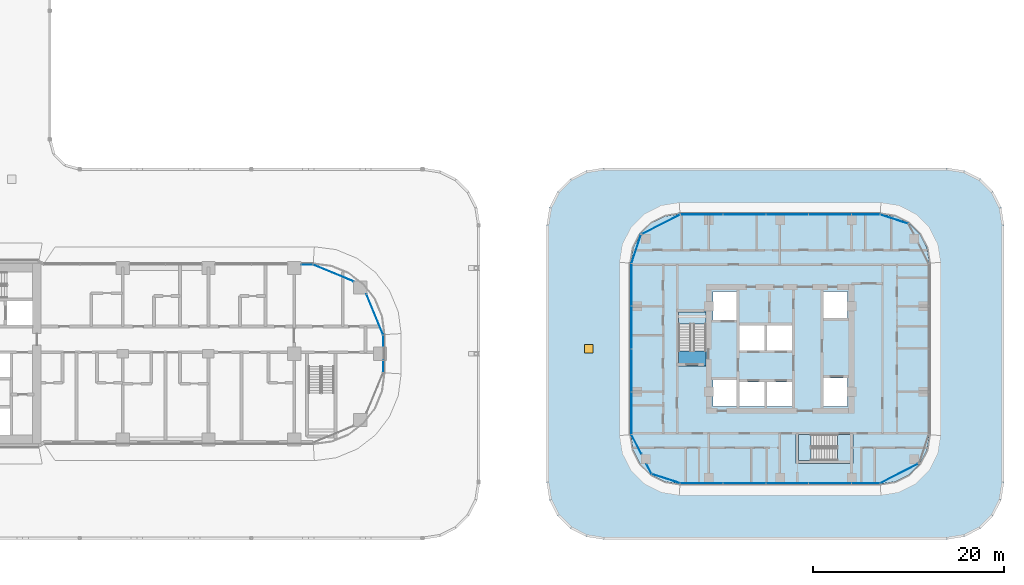
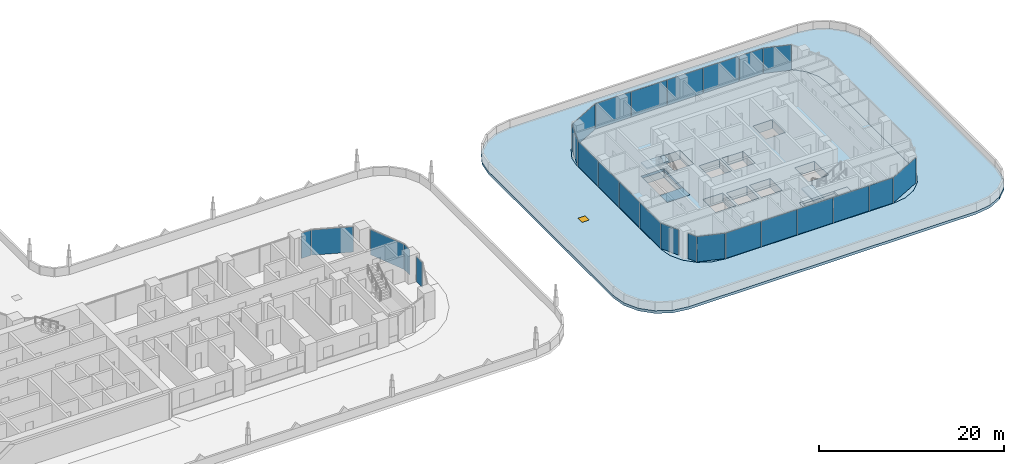
# One storey, part 18 of 51: 26 plates, 6 slabs, 1 window, 1 opening, 16 elements without a shape of their own.
"""IFC4 building model written with IfcOpenShell, lengths in metres."""

from ifc_helpers import new_model, si_unit, direction, frame, origin, origin_2d, place, context, subcontext, project, spatial, polyline, rectangle, outline, extrude, material, layer, layer_set, type_object, element, fill, aggregate, save


model = new_model("IFC4")

# Units and contexts
model_context = context("Model", 3, precision=1e-05, world=origin(), true_north=direction((0.0, 1.0)))
body_context = subcontext(model_context, "Body", "Model", "MODEL_VIEW")
ifc_project = project(units=[si_unit("LENGTHUNIT", "METRE"), si_unit("AREAUNIT", "SQUARE_METRE"), si_unit("VOLUMEUNIT", "CUBIC_METRE"), si_unit("PLANEANGLEUNIT", "RADIAN"), si_unit("MASSUNIT", "GRAM", prefix="KILO")], contexts=[model_context])

# Site, building, storey
site_placement = place(None, origin())
site = spatial("IfcSite", under=ifc_project, at=site_placement, CompositionType="ELEMENT")
building_placement = place(site_placement, origin())
building = spatial("IfcBuilding", under=site, at=building_placement, Name="Ogive Portal Towers", CompositionType="ELEMENT")
storey_placement = place(building_placement, frame((0.0, 0.0, 33.5)))
storey = spatial("IfcBuildingStorey", under=building, at=storey_placement, Name="L06", CompositionType="ELEMENT", Elevation=33.5)

# Curtain wall, plate
ifc_material_1 = material(Name="Glass, clear low-iron insulated glazing", Category="glass")
curtain_wall_type_1 = type_object("IfcCurtainWallType", Name="CW FRONT RIBBON 4500", PredefinedType="NOTDEFINED", material=ifc_material_1)
curtain_wall_1_placement = place(storey_placement, origin())
curtain_wall_1 = element("IfcCurtainWall", 1, at=curtain_wall_1_placement, inside=storey, type_object=curtain_wall_type_1, Name="A:L06:f24:cw0~0", PredefinedType="NOTDEFINED")
ifc_layer_1 = layer(ifc_material_1, 0.028076171875)
ifc_layer_set_1 = layer_set([ifc_layer_1], Name="CW PANEL IGU 28")
plate_type = type_object("IfcPlateType", Name="CW PANEL IGU 28", PredefinedType="CURTAIN_PANEL", material=ifc_layer_set_1)
plate_1_placement = place(storey_placement, frame((94.844970703125, 29.157958984375, 0.0), z_axis=(0.0, 0.0, 1.0), x_axis=(0.0, 1.0, 0.0)))
plate_1 = element("IfcPlate", 2, at=plate_1_placement, type_object=plate_type, Name="panel", PredefinedType="CURTAIN_PANEL", context=body_context, shape_type="SweptSolid", body=[
    extrude(rectangle(XDim=1.22412109375, YDim=0.028076171875, at=origin_2d()), origin(), (0.0, 0.0, 1.0), 3.340087890625),
])
aggregate(curtain_wall_1, [plate_1])

curtain_wall_2_placement = place(storey_placement, origin())
curtain_wall_2 = element("IfcCurtainWall", 3, at=curtain_wall_2_placement, inside=storey, type_object=curtain_wall_type_1, Name="A:L06:f24:cw0~1", PredefinedType="NOTDEFINED")
plate_2_placement = place(storey_placement, frame((94.844970703125, 31.842041015625, 0.0), z_axis=(0.0, 0.0, 1.0), x_axis=(0.0, 1.0, 0.0)))
plate_2 = element("IfcPlate", 4, at=plate_2_placement, type_object=plate_type, Name="panel", PredefinedType="CURTAIN_PANEL", context=body_context, shape_type="SweptSolid", body=[
    extrude(rectangle(XDim=1.22412109375, YDim=0.028076171875, at=origin_2d()), origin(), (0.0, 0.0, 1.0), 3.340087890625),
])
aggregate(curtain_wall_2, [plate_2])

curtain_wall_3_placement = place(storey_placement, origin())
curtain_wall_3 = element("IfcCurtainWall", 5, at=curtain_wall_3_placement, inside=storey, type_object=curtain_wall_type_1, Name="A:L06:f27:cw0~0", PredefinedType="NOTDEFINED")
plate_3_placement = place(storey_placement, frame((86.842041015625, 39.844970703125, 0.0), z_axis=(0.0, 0.0, 1.0), x_axis=(-1.0, 0.0, 0.0)))
plate_3 = element("IfcPlate", 6, at=plate_3_placement, type_object=plate_type, Name="panel", PredefinedType="CURTAIN_PANEL", context=body_context, shape_type="SweptSolid", body=[
    extrude(rectangle(XDim=1.22412109375, YDim=0.028076171875, at=origin_2d()), origin(), (0.0, 0.0, 1.0), 3.340087890625),
])
aggregate(curtain_wall_3, [plate_3])

curtain_wall_4_placement = place(storey_placement, origin())
curtain_wall_4 = element("IfcCurtainWall", 7, at=curtain_wall_4_placement, inside=storey, type_object=curtain_wall_type_1, Name="A:L06:f25:cwa~0", PredefinedType="NOTDEFINED")
plate_4_placement = place(storey_placement, frame((93.96142578125, 34.616943359375, 0.0), z_axis=(0.0, 0.0, 1.0), x_axis=(-0.382683432365, 0.923879532511, 0.0)))
plate_4 = element("IfcPlate", 8, at=plate_4_placement, type_object=plate_type, Name="panel", PredefinedType="CURTAIN_PANEL", context=body_context, shape_type="SweptSolid", body=[
    extrude(rectangle(XDim=4.557373046875, YDim=0.028076171875, at=origin_2d()), origin(), (0.0, 0.0, 1.0), 3.340087890625),
])
aggregate(curtain_wall_4, [plate_4])

curtain_wall_5_placement = place(storey_placement, origin())
curtain_wall_5 = element("IfcCurtainWall", 9, at=curtain_wall_5_placement, inside=storey, type_object=curtain_wall_type_1, Name="A:L06:f25:cwa~1", PredefinedType="NOTDEFINED")
plate_5_placement = place(storey_placement, frame((89.616943359375, 38.96142578125, 0.0), z_axis=(0.0, 0.0, 1.0), x_axis=(-0.923879532511, 0.382683432365, 0.0)))
plate_5 = element("IfcPlate", 10, at=plate_5_placement, type_object=plate_type, Name="panel", PredefinedType="CURTAIN_PANEL", context=body_context, shape_type="SweptSolid", body=[
    extrude(rectangle(XDim=4.557373046875, YDim=0.028076171875, at=origin_2d()), origin(), (0.0, 0.0, 1.0), 3.340087890625),
])
aggregate(curtain_wall_5, [plate_5])

# Curtain wall, plates
curtain_wall_type_2 = type_object("IfcCurtainWallType", Name="CW RESIDENCES RIBBON", PredefinedType="NOTDEFINED", material=ifc_material_1)
curtain_wall_6_placement = place(storey_placement, origin())
curtain_wall_6 = element("IfcCurtainWall", 11, at=curtain_wall_6_placement, inside=storey, type_object=curtain_wall_type_2, Name="B:L06:f02:cw0", PredefinedType="NOTDEFINED")
plate_6_placement = place(storey_placement, frame((128.25634765625, 16.89990234375, 0.0), z_axis=(0.0, 0.0, 1.0), x_axis=(1.0, 0.0, 0.0)))
plate_6 = element("IfcPlate", 12, at=plate_6_placement, type_object=plate_type, Name="panel", PredefinedType="CURTAIN_PANEL", context=body_context, shape_type="SweptSolid", body=[
    extrude(rectangle(XDim=4.42724609375, YDim=0.028076171875, at=origin_2d()), origin(), (0.0, 0.0, 1.0), 3.340087890625),
])
plate_7_placement = place(storey_placement, frame((132.75, 16.89990234375, 0.0), z_axis=(0.0, 0.0, 1.0), x_axis=(1.0, 0.0, 0.0)))
plate_7 = element("IfcPlate", 13, at=plate_7_placement, type_object=plate_type, Name="panel", PredefinedType="CURTAIN_PANEL", context=body_context, shape_type="SweptSolid", body=[
    extrude(rectangle(XDim=4.43994140625, YDim=0.028076171875, at=origin_2d()), origin(), (0.0, 0.0, 1.0), 3.340087890625),
])
plate_8_placement = place(storey_placement, frame((137.25, 16.89990234375, 0.0), z_axis=(0.0, 0.0, 1.0), x_axis=(1.0, 0.0, 0.0)))
plate_8 = element("IfcPlate", 14, at=plate_8_placement, type_object=plate_type, Name="panel", PredefinedType="CURTAIN_PANEL", context=body_context, shape_type="SweptSolid", body=[
    extrude(rectangle(XDim=4.43994140625, YDim=0.028076171875, at=origin_2d()), origin(), (0.0, 0.0, 1.0), 3.340087890625),
])
plate_9_placement = place(storey_placement, frame((141.75, 16.89990234375, 0.0), z_axis=(0.0, 0.0, 1.0), x_axis=(1.0, 0.0, 0.0)))
plate_9 = element("IfcPlate", 15, at=plate_9_placement, type_object=plate_type, Name="panel", PredefinedType="CURTAIN_PANEL", context=body_context, shape_type="SweptSolid", body=[
    extrude(rectangle(XDim=4.43994140625, YDim=0.028076171875, at=origin_2d()), origin(), (0.0, 0.0, 1.0), 3.340087890625),
])
plate_10_placement = place(storey_placement, frame((145.490478515625, 16.89990234375, 0.0), z_axis=(0.0, 0.0, 1.0), x_axis=(1.0, 0.0, 0.0)))
plate_10 = element("IfcPlate", 16, at=plate_10_placement, type_object=plate_type, Name="panel", PredefinedType="CURTAIN_PANEL", context=body_context, shape_type="SweptSolid", body=[
    extrude(rectangle(XDim=2.9208984375, YDim=0.028076171875, at=origin_2d()), origin(), (0.0, 0.0, 1.0), 3.340087890625),
])
aggregate(curtain_wall_6, [plate_6, plate_7, plate_8, plate_9, plate_10])

curtain_wall_7_placement = place(storey_placement, origin())
curtain_wall_7 = element("IfcCurtainWall", 17, at=curtain_wall_7_placement, inside=storey, type_object=curtain_wall_type_2, Name="B:L06:f08:cw0", PredefinedType="NOTDEFINED")
plate_11_placement = place(storey_placement, frame((145.49365234375, 45.10009765625, 0.0), z_axis=(0.0, 0.0, 1.0), x_axis=(-1.0, 0.0, 0.0)))
plate_11 = element("IfcPlate", 18, at=plate_11_placement, type_object=plate_type, Name="panel", PredefinedType="CURTAIN_PANEL", context=body_context, shape_type="SweptSolid", body=[
    extrude(rectangle(XDim=2.92724609375, YDim=0.028076171875, at=origin_2d()), origin(), (0.0, 0.0, 1.0), 3.340087890625),
])
plate_12_placement = place(storey_placement, frame((141.75, 45.10009765625, 0.0), z_axis=(0.0, 0.0, 1.0), x_axis=(-1.0, 0.0, 0.0)))
plate_12 = element("IfcPlate", 19, at=plate_12_placement, type_object=plate_type, Name="panel", PredefinedType="CURTAIN_PANEL", context=body_context, shape_type="SweptSolid", body=[
    extrude(rectangle(XDim=4.43994140625, YDim=0.028076171875, at=origin_2d()), origin(), (0.0, 0.0, 1.0), 3.340087890625),
])
plate_13_placement = place(storey_placement, frame((137.25, 45.10009765625, 0.0), z_axis=(0.0, 0.0, 1.0), x_axis=(-1.0, 0.0, 0.0)))
plate_13 = element("IfcPlate", 20, at=plate_13_placement, type_object=plate_type, Name="panel", PredefinedType="CURTAIN_PANEL", context=body_context, shape_type="SweptSolid", body=[
    extrude(rectangle(XDim=4.43994140625, YDim=0.028076171875, at=origin_2d()), origin(), (0.0, 0.0, 1.0), 3.340087890625),
])
plate_14_placement = place(storey_placement, frame((132.75, 45.10009765625, 0.0), z_axis=(0.0, 0.0, 1.0), x_axis=(-1.0, 0.0, 0.0)))
plate_14 = element("IfcPlate", 21, at=plate_14_placement, type_object=plate_type, Name="panel", PredefinedType="CURTAIN_PANEL", context=body_context, shape_type="SweptSolid", body=[
    extrude(rectangle(XDim=4.43994140625, YDim=0.028076171875, at=origin_2d()), origin(), (0.0, 0.0, 1.0), 3.340087890625),
])
plate_15_placement = place(storey_placement, frame((128.259521484375, 45.10009765625, 0.0), z_axis=(0.0, 0.0, 1.0), x_axis=(-1.0, 0.0, 0.0)))
plate_15 = element("IfcPlate", 22, at=plate_15_placement, type_object=plate_type, Name="panel", PredefinedType="CURTAIN_PANEL", context=body_context, shape_type="SweptSolid", body=[
    extrude(rectangle(XDim=4.4208984375, YDim=0.028076171875, at=origin_2d()), origin(), (0.0, 0.0, 1.0), 3.340087890625),
])
aggregate(curtain_wall_7, [plate_11, plate_12, plate_13, plate_14, plate_15])

curtain_wall_8_placement = place(storey_placement, origin())
curtain_wall_8 = element("IfcCurtainWall", 23, at=curtain_wall_8_placement, inside=storey, type_object=curtain_wall_type_2, Name="B:L06:f11:cw0", PredefinedType="NOTDEFINED")
plate_16_placement = place(storey_placement, frame((120.89990234375, 37.74365234375, 0.0), z_axis=(0.0, 0.0, 1.0), x_axis=(0.0, -1.0, 0.0)))
plate_16 = element("IfcPlate", 24, at=plate_16_placement, type_object=plate_type, Name="panel", PredefinedType="CURTAIN_PANEL", context=body_context, shape_type="SweptSolid", body=[
    extrude(rectangle(XDim=4.42724609375, YDim=0.028076171875, at=origin_2d()), origin(), (0.0, 0.0, 1.0), 3.340087890625),
])
plate_17_placement = place(storey_placement, frame((120.89990234375, 33.25, 0.0), z_axis=(0.0, 0.0, 1.0), x_axis=(0.0, -1.0, 0.0)))
plate_17 = element("IfcPlate", 25, at=plate_17_placement, type_object=plate_type, Name="panel", PredefinedType="CURTAIN_PANEL", context=body_context, shape_type="SweptSolid", body=[
    extrude(rectangle(XDim=4.43994140625, YDim=0.028076171875, at=origin_2d()), origin(), (0.0, 0.0, 1.0), 3.340087890625),
])
plate_18_placement = place(storey_placement, frame((120.89990234375, 28.75, 0.0), z_axis=(0.0, 0.0, 1.0), x_axis=(0.0, -1.0, 0.0)))
plate_18 = element("IfcPlate", 26, at=plate_18_placement, type_object=plate_type, Name="panel", PredefinedType="CURTAIN_PANEL", context=body_context, shape_type="SweptSolid", body=[
    extrude(rectangle(XDim=4.43994140625, YDim=0.028076171875, at=origin_2d()), origin(), (0.0, 0.0, 1.0), 3.340087890625),
])
plate_19_placement = place(storey_placement, frame((120.89990234375, 24.259521484375, 0.0), z_axis=(0.0, 0.0, 1.0), x_axis=(0.0, -1.0, 0.0)))
plate_19 = element("IfcPlate", 27, at=plate_19_placement, type_object=plate_type, Name="panel", PredefinedType="CURTAIN_PANEL", context=body_context, shape_type="SweptSolid", body=[
    extrude(rectangle(XDim=4.4208984375, YDim=0.028076171875, at=origin_2d()), origin(), (0.0, 0.0, 1.0), 3.340087890625),
])
aggregate(curtain_wall_8, [plate_16, plate_17, plate_18, plate_19])

# Curtain wall, plate
curtain_wall_9_placement = place(storey_placement, origin())
curtain_wall_9 = element("IfcCurtainWall", 28, at=curtain_wall_9_placement, inside=storey, type_object=curtain_wall_type_2, Name="B:L06:f00:cwa~0", PredefinedType="NOTDEFINED")
plate_20_placement = place(storey_placement, frame((121.42919921875, 20.980712890625, 0.0), z_axis=(0.0, 0.0, 1.0), x_axis=(0.45399049974, -0.891006524188, 0.0)))
plate_20 = element("IfcPlate", 29, at=plate_20_placement, type_object=plate_type, Name="panel", PredefinedType="CURTAIN_PANEL", context=body_context, shape_type="SweptSolid", body=[
    extrude(rectangle(XDim=2.271240234375, YDim=0.028076171875, at=origin_2d()), origin(), (0.0, 0.0, 1.0), 3.340087890625),
])
aggregate(curtain_wall_9, [plate_20])

# Curtain wall, plates
curtain_wall_10_placement = place(storey_placement, origin())
curtain_wall_10 = element("IfcCurtainWall", 30, at=curtain_wall_10_placement, inside=storey, type_object=curtain_wall_type_2, Name="B:L06:f00:cwa~1", PredefinedType="NOTDEFINED")
plate_21_placement = place(storey_placement, frame((122.73974609375, 18.408447265625, 0.0), z_axis=(0.0, 0.0, 1.0), x_axis=(0.45399049974, -0.891006524188, 0.0)))
plate_21 = element("IfcPlate", 31, at=plate_21_placement, type_object=plate_type, Name="panel", PredefinedType="CURTAIN_PANEL", context=body_context, shape_type="SweptSolid", body=[
    extrude(rectangle(XDim=1.137451171875, YDim=0.028076171875, at=origin_2d()), origin(), (0.0, 0.0, 1.0), 3.340087890625),
])
plate_22_placement = place(storey_placement, frame((124.51220703125, 17.387451171875, 0.0), z_axis=(0.0, 0.0, 1.0), x_axis=(0.951056516295, -0.309016994375, 0.0)))
plate_22 = element("IfcPlate", 32, at=plate_22_placement, type_object=plate_type, Name="panel", PredefinedType="CURTAIN_PANEL", context=body_context, shape_type="SweptSolid", body=[
    extrude(rectangle(XDim=3.095703125, YDim=0.028076171875, at=origin_2d()), origin(), (0.0, 0.0, 1.0), 3.340087890625),
])
aggregate(curtain_wall_10, [plate_21, plate_22])

# Curtain wall, plate
curtain_wall_11_placement = place(storey_placement, origin())
curtain_wall_11 = element("IfcCurtainWall", 33, at=curtain_wall_11_placement, inside=storey, type_object=curtain_wall_type_2, Name="B:L06:f03:cwa~0", PredefinedType="NOTDEFINED")
plate_23_placement = place(storey_placement, frame((148.984619140625, 17.9208984375, 0.0), z_axis=(0.0, 0.0, 1.0), x_axis=(0.891006524188, 0.45399049974, 0.0)))
plate_23 = element("IfcPlate", 34, at=plate_23_placement, type_object=plate_type, Name="panel", PredefinedType="CURTAIN_PANEL", context=body_context, shape_type="SweptSolid", body=[
    extrude(rectangle(XDim=4.43798828125, YDim=0.028076171875, at=origin_2d()), origin(), (0.0, 0.0, 1.0), 3.340087890625),
])
aggregate(curtain_wall_11, [plate_23])

curtain_wall_12_placement = place(storey_placement, origin())
curtain_wall_12 = element("IfcCurtainWall", 35, at=curtain_wall_12_placement, inside=storey, type_object=curtain_wall_type_2, Name="B:L06:f06:cwa~1", PredefinedType="NOTDEFINED")
plate_24_placement = place(storey_placement, frame((148.48779296875, 44.612548828125, 0.0), z_axis=(0.0, 0.0, 1.0), x_axis=(-0.951056516295, 0.309016994375, 0.0)))
plate_24 = element("IfcPlate", 36, at=plate_24_placement, type_object=plate_type, Name="panel", PredefinedType="CURTAIN_PANEL", context=body_context, shape_type="SweptSolid", body=[
    extrude(rectangle(XDim=3.095703125, YDim=0.028076171875, at=origin_2d()), origin(), (0.0, 0.0, 1.0), 3.340087890625),
])
aggregate(curtain_wall_12, [plate_24])

curtain_wall_13_placement = place(storey_placement, origin())
curtain_wall_13 = element("IfcCurtainWall", 37, at=curtain_wall_13_placement, inside=storey, type_object=curtain_wall_type_2, Name="B:L06:f09:cwa~0", PredefinedType="NOTDEFINED")
plate_25_placement = place(storey_placement, frame((124.015380859375, 44.0791015625, 0.0), z_axis=(0.0, 0.0, 1.0), x_axis=(-0.891006524188, -0.45399049974, 0.0)))
plate_25 = element("IfcPlate", 38, at=plate_25_placement, type_object=plate_type, Name="panel", PredefinedType="CURTAIN_PANEL", context=body_context, shape_type="SweptSolid", body=[
    extrude(rectangle(XDim=4.43798828125, YDim=0.028076171875, at=origin_2d()), origin(), (0.0, 0.0, 1.0), 3.340087890625),
])
aggregate(curtain_wall_13, [plate_25])

curtain_wall_14_placement = place(storey_placement, origin())
curtain_wall_14 = element("IfcCurtainWall", 39, at=curtain_wall_14_placement, inside=storey, type_object=curtain_wall_type_2, Name="B:L06:f09:cwa~1", PredefinedType="NOTDEFINED")
plate_26_placement = place(storey_placement, frame((121.400390625, 41.494384765625, 0.0), z_axis=(0.0, 0.0, 1.0), x_axis=(-0.315156488428, -0.949039718769, 0.0)))
plate_26 = element("IfcPlate", 40, at=plate_26_placement, type_object=plate_type, Name="panel", PredefinedType="CURTAIN_PANEL", context=body_context, shape_type="SweptSolid", body=[
    extrude(rectangle(XDim=3.1162109375, YDim=0.028076171875, at=origin_2d()), origin(), (0.0, 0.0, 1.0), 3.340087890625),
])
aggregate(curtain_wall_14, [plate_26])

# Stair, slab
ifc_material_2 = material(Name="Concrete C40/50", Category="concrete")
stair_type = type_object("IfcStairType", Name="INT-STAIR", PredefinedType="HALF_TURN_STAIR", material=ifc_material_2)
stair_1_placement = place(storey_placement, origin())
stair_1 = element("IfcStair", 41, at=stair_1_placement, inside=storey, type_object=stair_type, Name="L06 Exit Stair ST-B1", PredefinedType="HALF_TURN_STAIR")
ifc_layer_2 = layer(ifc_material_2, 0.199951171875)
ifc_layer_set_2 = layer_set([ifc_layer_2], Name="INT-LANDING")
slab_type_1 = type_object("IfcSlabType", Name="INT-LANDING", PredefinedType="LANDING", material=ifc_layer_set_2)
slab_1_placement = place(storey_placement, frame((0.0, 0.0, 1.64990234375)))
slab_1 = element("IfcSlab", 42, at=slab_1_placement, type_object=slab_type_1, Name="ST-B1 landing 1", PredefinedType="LANDING", context=body_context, shape_type="SweptSolid", body=[
    extrude(outline(polyline([(128.699951171875, 33.60009765625), (128.699951171875, 34.89990234375), (125.85009765625, 34.89990234375), (125.85009765625, 33.60009765625), (128.699951171875, 33.60009765625)])), origin(), (0.0, 0.0, 1.0), 0.2001953125),
])
aggregate(stair_1, [slab_1])

stair_2_placement = place(storey_placement, origin())
stair_2 = element("IfcStair", 43, at=stair_2_placement, inside=storey, type_object=stair_type, Name="L06 Exit Stair ST-B2", PredefinedType="HALF_TURN_STAIR")
slab_2_placement = place(storey_placement, frame((0.0, 0.0, 1.64990234375)))
slab_2 = element("IfcSlab", 44, at=slab_2_placement, type_object=slab_type_1, Name="ST-B2 landing 1", PredefinedType="LANDING", context=body_context, shape_type="SweptSolid", body=[
    extrude(outline(polyline([(139.75, 22.0), (138.449951171875, 22.0), (138.449951171875, 19.300048828125), (139.75, 19.300048828125), (139.75, 22.0)])), origin(), (0.0, 0.0, 1.0), 0.2001953125),
])
aggregate(stair_2, [slab_2])

# Slabs
ifc_material_3 = material(Name="Concrete C45/55", Category="concrete")
ifc_layer_3 = layer(ifc_material_3, 0.300048828125)
ifc_layer_set_3 = layer_set([ifc_layer_3], Name="PT FLAT PLATE 300")
slab_type_2 = type_object("IfcSlabType", Name="PT FLAT PLATE 300", PredefinedType="FLOOR", material=ifc_layer_set_3)
slab_3_placement = place(storey_placement, frame((0.0, 0.0, -0.300048828125)))
element("IfcSlab", 45, at=slab_3_placement, inside=storey, type_object=slab_type_2, Name="Floor slab L06", PredefinedType="FLOOR", context=body_context, shape_type="SweptSolid", body=[
    extrude(outline(polyline([(125.85009765625, 29.199951171875), (128.699951171875, 29.199951171875), (128.699951171875, 34.89990234375), (125.85009765625, 34.89990234375), (125.85009765625, 29.199951171875)]), holes=[polyline([(128.697998046875, 34.89794921875), (128.697998046875, 30.802001953125), (125.85205078125, 30.802001953125), (125.85205078125, 34.89794921875), (128.697998046875, 34.89794921875)])]), origin(), (0.0, 0.0, 1.0), 0.300048828125),
])
slab_4_placement = place(storey_placement, frame((0.0, 0.0, -0.300048828125)))
element("IfcSlab", 46, at=slab_4_placement, inside=storey, type_object=slab_type_2, Name="Floor slab L06", PredefinedType="FLOOR", context=body_context, shape_type="SweptSolid", body=[
    extrude(outline(polyline([(138.14990234375, 19.0), (144.14990234375, 19.0), (144.14990234375, 22.0), (138.14990234375, 22.0), (138.14990234375, 19.0)]), holes=[polyline([(138.451904296875, 21.998046875), (142.548095703125, 21.998046875), (142.548095703125, 19.302001953125), (138.451904296875, 19.302001953125), (138.451904296875, 21.998046875)])]), origin(), (0.0, 0.0, 1.0), 0.300048828125),
])

# Slab, opening, window
ifc_layer_4 = layer(ifc_material_2, 0.35009765625)
ifc_layer_set_4 = layer_set([ifc_layer_4], Name="ROOF SLAB 350")
slab_type_3 = type_object("IfcSlabType", Name="ROOF SLAB 350", PredefinedType="ROOF", material=ifc_layer_set_4)
slab_5_placement = place(storey_placement, frame((0.0, 0.0, -0.35009765625)))
slab_5 = element("IfcSlab", 47, at=slab_5_placement, inside=storey, type_object=slab_type_3, Name="Podium roof B", PredefinedType="ROOF", context=body_context, shape_type="SweptSolid", body=[
    extrude(outline(polyline([(112.293701171875, 45.85400390625), (113.14599609375, 47.526611328125), (114.473388671875, 48.85400390625), (116.14599609375, 49.706298828125), (118.0, 50.0), (154.0, 50.0), (155.85400390625, 49.706298828125), (157.526611328125, 48.85400390625), (158.85400390625, 47.526611328125), (159.706298828125, 45.85400390625), (160.0, 44.0), (160.0, 17.0), (159.706298828125, 15.14599609375), (158.85400390625, 13.473388671875), (157.526611328125, 12.14599609375), (155.85400390625, 11.293701171875), (154.0, 11.0), (118.0, 11.0), (116.14599609375, 11.293701171875), (114.473388671875, 12.14599609375), (113.14599609375, 13.473388671875), (112.293701171875, 15.14599609375), (112.0, 17.0), (112.0, 44.0), (112.293701171875, 45.85400390625)]), holes=[polyline([(121.809326171875, 18.955322265625), (122.955322265625, 17.809326171875), (123.660400390625, 17.449951171875), (124.3994140625, 17.073486328125), (126.0, 16.820068359375), (147.0, 16.820068359375), (148.6005859375, 17.073486328125), (149.339599609375, 17.449951171875), (150.044677734375, 17.809326171875), (151.190673828125, 18.955322265625), (151.550048828125, 19.660400390625), (151.926513671875, 20.3994140625), (152.179931640625, 22.0), (152.179931640625, 40.0), (151.926513671875, 41.6005859375), (151.550048828125, 42.339599609375), (151.190673828125, 43.044677734375), (150.044677734375, 44.190673828125), (149.339599609375, 44.550048828125), (148.6005859375, 44.926513671875), (147.0, 45.179931640625), (126.0, 45.179931640625), (124.3994140625, 44.926513671875), (123.660400390625, 44.550048828125), (122.955322265625, 44.190673828125), (121.809326171875, 43.044677734375), (121.449951171875, 42.339599609375), (121.073486328125, 41.6005859375), (120.820068359375, 40.0), (120.820068359375, 22.0), (121.073486328125, 20.3994140625), (121.449951171875, 19.660400390625), (121.809326171875, 18.955322265625)])]), origin(), (0.0, 0.0, 1.0), 0.35009765625),
])
opening_placement = place(slab_5_placement, frame((116.409912109375, 31.0, 0.0)))
opening = element("IfcOpeningElement", 48, at=opening_placement, cuts=slab_5, Name="Opening RH1", PredefinedType="OPENING", context=body_context, shape_type="SweptSolid", body=[
    extrude(rectangle(XDim=0.89990234375, YDim=0.89990234375, at=origin_2d()), origin(), (0.0, 0.0, 1.0), 0.35009765625),
])
ifc_material_4 = material(Name="Aluminium 6063 anodised", Category="aluminium")
window_type = type_object("IfcWindowType", Name="ROOF HATCH 900x900", PartitioningType="SINGLE_PANEL", PredefinedType="SKYLIGHT", material=ifc_material_4)
window_placement = place(opening_placement, frame((0.0, 0.0, 0.300048828125)))
window = element("IfcWindow", 49, at=window_placement, inside=storey, type_object=window_type, Name="Roof access hatch", OverallHeight=0.89990234375, OverallWidth=0.89990234375, PartitioningType="SINGLE_PANEL", PredefinedType="SKYLIGHT", context=body_context, shape_type="SweptSolid", body=[
    extrude(rectangle(XDim=0.89990234375, YDim=0.89990234375, at=origin_2d()), origin(), (0.0, 0.0, 1.0), 0.050048828125),
])
fill(opening, window)

# Slab
ifc_material_5 = material(Name="Concrete C60/75", Category="concrete")
ifc_layer_5 = layer(ifc_material_5, 1.199951171875)
ifc_layer_set_5 = layer_set([ifc_layer_5], Name="TRANSFER PLATE 1200")
slab_type_4 = type_object("IfcSlabType", Name="TRANSFER PLATE 1200", PredefinedType="FLOOR", material=ifc_layer_set_5)
slab_6_placement = place(storey_placement, frame((0.0, 0.0, -1.199951171875)))
element("IfcSlab", 50, at=slab_6_placement, inside=storey, type_object=slab_type_4, Name="Floor slab L06", PredefinedType="FLOOR", context=body_context, shape_type="SweptSolid", body=[
    extrude(outline(polyline([(120.820068359375, 40.0), (120.820068359375, 22.0), (121.073486328125, 20.3994140625), (121.809326171875, 18.955322265625), (122.955322265625, 17.809326171875), (124.3994140625, 17.073486328125), (126.0, 16.820068359375), (147.0, 16.820068359375), (148.6005859375, 17.073486328125), (150.044677734375, 17.809326171875), (151.190673828125, 18.955322265625), (151.926513671875, 20.3994140625), (152.179931640625, 22.0), (152.179931640625, 40.0), (151.926513671875, 41.6005859375), (151.190673828125, 43.044677734375), (150.044677734375, 44.190673828125), (148.6005859375, 44.926513671875), (147.0, 45.179931640625), (126.0, 45.179931640625), (124.3994140625, 44.926513671875), (122.955322265625, 44.190673828125), (121.809326171875, 43.044677734375), (121.073486328125, 41.6005859375), (120.820068359375, 40.0)]), holes=[polyline([(131.949951171875, 27.75), (131.949951171875, 24.949951171875), (129.449951171875, 24.949951171875), (129.449951171875, 27.75), (131.949951171875, 27.75)]), polyline([(131.949951171875, 37.050048828125), (131.949951171875, 34.050048828125), (129.449951171875, 34.050048828125), (129.449951171875, 37.050048828125), (131.949951171875, 37.050048828125)]), polyline([(134.85009765625, 27.550048828125), (134.85009765625, 24.949951171875), (132.25, 24.949951171875), (132.25, 27.550048828125), (134.85009765625, 27.550048828125)]), polyline([(137.75, 27.550048828125), (137.75, 24.949951171875), (135.14990234375, 24.949951171875), (135.14990234375, 27.550048828125), (137.75, 27.550048828125)]), polyline([(143.550048828125, 27.949951171875), (143.550048828125, 24.949951171875), (141.050048828125, 24.949951171875), (141.050048828125, 27.949951171875), (143.550048828125, 27.949951171875)]), polyline([(134.85009765625, 33.449951171875), (134.85009765625, 30.85009765625), (132.25, 30.85009765625), (132.25, 33.449951171875), (134.85009765625, 33.449951171875)]), polyline([(137.75, 33.449951171875), (137.75, 30.85009765625), (135.14990234375, 30.85009765625), (135.14990234375, 33.449951171875), (137.75, 33.449951171875)]), polyline([(143.550048828125, 37.050048828125), (143.550048828125, 34.25), (141.050048828125, 34.25), (141.050048828125, 37.050048828125), (143.550048828125, 37.050048828125)]), polyline([(128.699951171875, 29.199951171875), (128.699951171875, 34.89990234375), (125.85009765625, 34.89990234375), (125.85009765625, 29.199951171875), (128.699951171875, 29.199951171875)]), polyline([(144.14990234375, 19.0), (144.14990234375, 22.0), (138.14990234375, 22.0), (138.14990234375, 19.0), (144.14990234375, 19.0)])]), origin(), (0.0, 0.0, 1.0), 1.199951171875),
])

save(model, "model.ifc")
